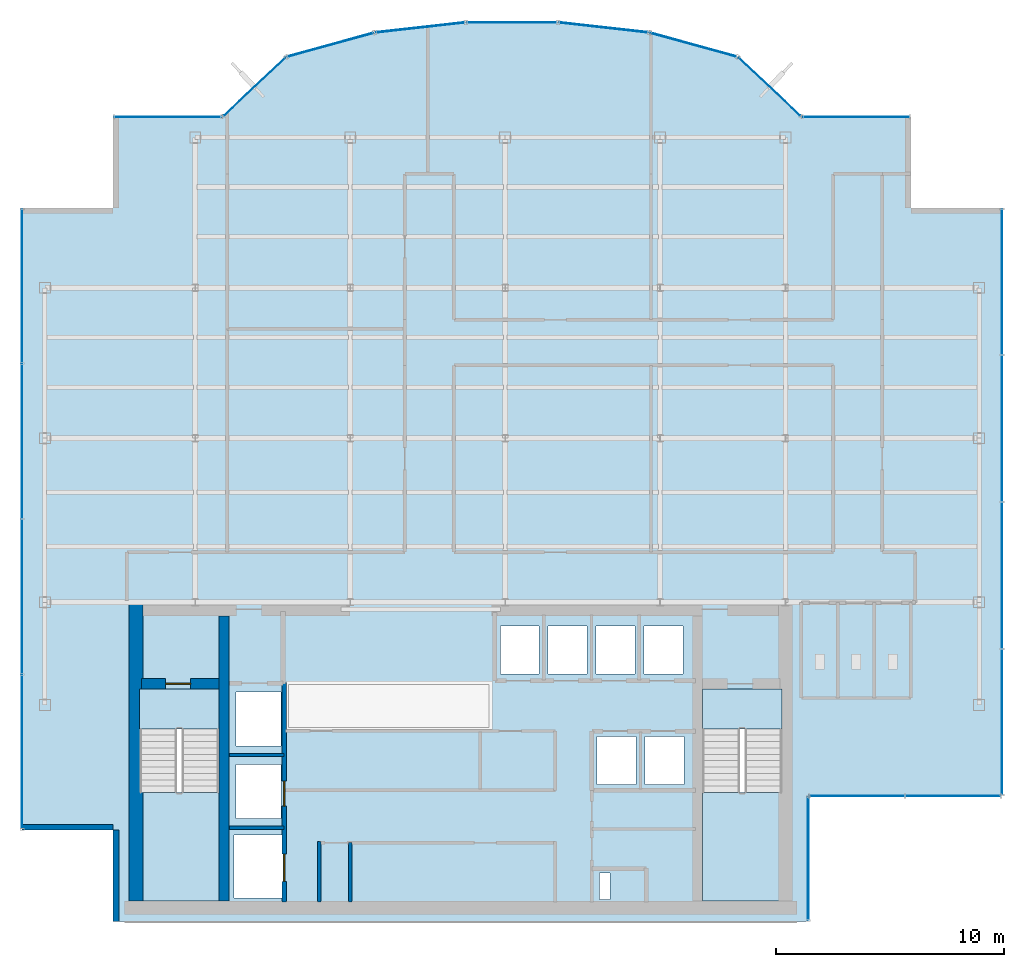
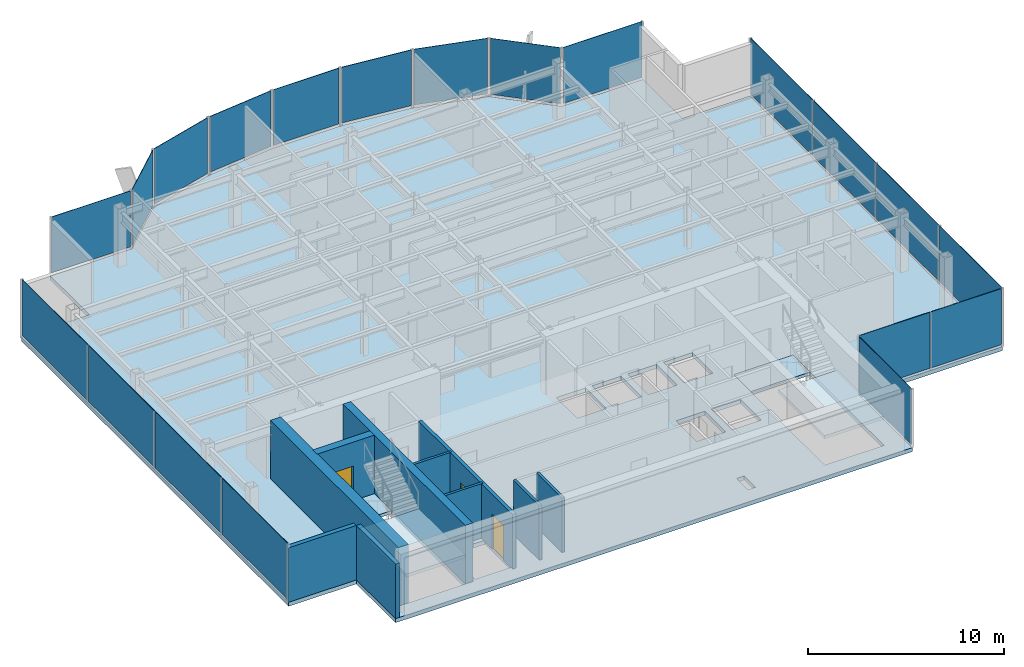
# One storey, part 16 of 22: 20 plates, 10 walls, 5 slabs, 3 doors, 3 openings, 15 elements without a shape of their own.
"""IFC4 building model written with IfcOpenShell, lengths in metres."""

from ifc_helpers import new_model, si_unit, derived_unit, direction, frame, frame_2d, origin, origin_2d, place, context, subcontext, project, spatial, polyline, rectangle, outline, extrude, source, transform, mapped, material, layer, layer_set, type_object, element, fill, aggregate, save


model = new_model("IFC4")

# Units and contexts
model_context = context("Model", 3, precision=1e-05, world=origin(), true_north=direction((0.0, 1.0)))
body_context = subcontext(model_context, "Body", "Model", "MODEL_VIEW")
ifc_project = project(units=[si_unit("LENGTHUNIT", "METRE"), si_unit("AREAUNIT", "SQUARE_METRE"), si_unit("VOLUMEUNIT", "CUBIC_METRE"), si_unit("PLANEANGLEUNIT", "RADIAN"), si_unit("MASSUNIT", "GRAM", prefix="KILO"), derived_unit("THERMALTRANSMITTANCEUNIT", [(si_unit("POWERUNIT", "WATT"), 1), (si_unit("LENGTHUNIT", "METRE"), -2), (si_unit("THERMODYNAMICTEMPERATUREUNIT", "KELVIN"), -1)])], contexts=[model_context])

# Site, building, storey
site_placement = place(None, origin())
site = spatial("IfcSite", under=ifc_project, at=site_placement, CompositionType="ELEMENT")
building_placement = place(site_placement, origin())
building = spatial("IfcBuilding", under=site, at=building_placement, Name="Skarnbrae Concourse Arena and Tower", CompositionType="ELEMENT")
storey_placement = place(building_placement, frame((0.0, 0.0, 258.800048828125)))
storey = spatial("IfcBuildingStorey", under=building, at=storey_placement, Name="L67", CompositionType="ELEMENT", Elevation=258.800048828125)

# Stair, slab
ifc_material_1 = material(Name="Concrete 40 MPa (C40/50)", Category="concrete")
stair_type = type_object("IfcStairType", Name="STAIR-DOGLEG-1650", PredefinedType="HALF_TURN_STAIR", material=ifc_material_1)
stair_1_placement = place(storey_placement, origin())
stair_1 = element("IfcStair", 1, at=stair_1_placement, inside=storey, type_object=stair_type, Name="L67 Protected Exit Stair ST-1", PredefinedType="HALF_TURN_STAIR")
ifc_layer_1 = layer(ifc_material_1, 0.199951171875)
ifc_layer_set_1 = layer_set([ifc_layer_1], Name="Concrete 40 MPa (C40/50)")
slab_type_1 = type_object("IfcSlabType", Name="SLAB-LANDING-200", PredefinedType="LANDING", material=ifc_layer_set_1)
slab_1_placement = place(storey_placement, frame((0.0, 0.0, 1.625)))
slab_1 = element("IfcSlab", 2, at=slab_1_placement, type_object=slab_type_1, Name="ST-1 landing 1", PredefinedType="LANDING", context=body_context, shape_type="SweptSolid", body=[
    extrude(outline(polyline([(5.14990234375, 5.64990234375), (5.14990234375, 0.89990234375), (8.64990234375, 0.89990234375), (8.64990234375, 5.64990234375), (5.14990234375, 5.64990234375)])), origin(), (0.0, 0.0, 1.0), 0.199951171875),
])
aggregate(stair_1, [slab_1])

stair_2_placement = place(storey_placement, origin())
stair_2 = element("IfcStair", 3, at=stair_2_placement, inside=storey, type_object=stair_type, Name="L67 Protected Exit Stair ST-2", PredefinedType="HALF_TURN_STAIR")
slab_2_placement = place(storey_placement, frame((0.0, 0.0, 1.625)))
slab_2 = element("IfcSlab", 4, at=slab_2_placement, type_object=slab_type_1, Name="ST-2 landing 1", PredefinedType="LANDING", context=body_context, shape_type="SweptSolid", body=[
    extrude(outline(polyline([(29.85009765625, 5.64990234375), (29.85009765625, 0.89990234375), (33.35009765625, 0.89990234375), (33.35009765625, 5.64990234375), (29.85009765625, 5.64990234375)])), origin(), (0.0, 0.0, 1.0), 0.199951171875),
])
aggregate(stair_2, [slab_2])

# Slabs
slab_3_placement = place(storey_placement, frame((0.0, 0.0, -0.199951171875)))
element("IfcSlab", 5, at=slab_3_placement, inside=storey, type_object=slab_type_1, Name="L67 Core stair ST1 floor landing", PredefinedType="LANDING", context=body_context, shape_type="SweptSolid", body=[
    extrude(outline(polyline([(5.14990234375, 10.199951171875), (5.14990234375, 8.449951171875), (8.64990234375, 8.449951171875), (8.64990234375, 10.199951171875), (5.14990234375, 10.199951171875)])), origin(), (0.0, 0.0, 1.0), 0.199951171875),
])
slab_4_placement = place(storey_placement, frame((0.0, 0.0, -0.199951171875)))
element("IfcSlab", 6, at=slab_4_placement, inside=storey, type_object=slab_type_1, Name="L67 Core stair ST2 floor landing", PredefinedType="LANDING", context=body_context, shape_type="SweptSolid", body=[
    extrude(outline(polyline([(29.85009765625, 10.199951171875), (29.85009765625, 8.449951171875), (33.35009765625, 8.449951171875), (33.35009765625, 10.199951171875), (29.85009765625, 10.199951171875)])), origin(), (0.0, 0.0, 1.0), 0.199951171875),
])
ifc_layer_2 = layer(ifc_material_1, 0.25)
ifc_layer_set_2 = layer_set([ifc_layer_2], Name="Concrete 40 MPa (C40/50)")
slab_type_2 = type_object("IfcSlabType", Name="SLAB-TOWER-250", PredefinedType="FLOOR", material=ifc_layer_set_2)
slab_5_placement = place(storey_placement, frame((0.0, 0.0, -0.25)))
element("IfcSlab", 7, at=slab_5_placement, inside=storey, type_object=slab_type_2, Name="L67 Structural floor slab", PredefinedType="FLOOR", context=body_context, shape_type="SweptSolid", body=[
    extrude(outline(polyline([(4.0, 0.0), (34.5, 0.0), (34.5, 5.5), (43.0, 5.5), (43.0, 31.300048828125), (39.0, 31.300048828125), (39.0, 35.300048828125), (34.199951171875, 35.300048828125), (31.40966796875, 37.9267578125), (27.52587890625, 38.9970703125), (23.51708984375, 39.44677734375), (19.48291015625, 39.44677734375), (15.47412109375, 38.9970703125), (11.59033203125, 37.9267578125), (8.800048828125, 35.300048828125), (4.0, 35.300048828125), (4.0, 31.300048828125), (0.0, 31.300048828125), (0.0, 4.0), (4.0, 4.0), (4.0, 0.0)]), holes=[polyline([(9.294921875, 1.02001953125), (9.294921875, 3.780029296875), (11.455078125, 3.780029296875), (11.455078125, 1.02001953125), (9.294921875, 1.02001953125)]), polyline([(8.64990234375, 10.199951171875), (8.64990234375, 0.89990234375), (5.14990234375, 0.89990234375), (5.14990234375, 10.199951171875), (8.64990234375, 10.199951171875)]), polyline([(9.39501953125, 6.8798828125), (11.35498046875, 6.8798828125), (11.35498046875, 4.52001953125), (9.39501953125, 4.52001953125), (9.39501953125, 6.8798828125)]), polyline([(9.39501953125, 7.695068359375), (9.39501953125, 10.054931640625), (11.35498046875, 10.054931640625), (11.35498046875, 7.695068359375), (9.39501953125, 7.695068359375)]), polyline([(20.985107421875, 12.955078125), (22.695068359375, 12.955078125), (22.695068359375, 10.844970703125), (20.985107421875, 10.844970703125), (20.985107421875, 12.955078125)]), polyline([(23.0849609375, 12.955078125), (24.794921875, 12.955078125), (24.794921875, 10.844970703125), (23.0849609375, 10.844970703125), (23.0849609375, 12.955078125)]), polyline([(25.35009765625, 0.949951171875), (25.35009765625, 2.110107421875), (25.800048828125, 2.110107421875), (25.800048828125, 0.949951171875), (25.35009765625, 0.949951171875)]), polyline([(33.35009765625, 10.199951171875), (33.35009765625, 0.89990234375), (29.85009765625, 0.89990234375), (29.85009765625, 10.199951171875), (33.35009765625, 10.199951171875)]), polyline([(25.235107421875, 8.10498046875), (26.945068359375, 8.10498046875), (26.945068359375, 5.9951171875), (25.235107421875, 5.9951171875), (25.235107421875, 8.10498046875)]), polyline([(27.3349609375, 5.9951171875), (27.3349609375, 8.10498046875), (29.044921875, 8.10498046875), (29.044921875, 5.9951171875), (27.3349609375, 5.9951171875)]), polyline([(25.18505859375, 12.955078125), (26.89501953125, 12.955078125), (26.89501953125, 10.844970703125), (25.18505859375, 10.844970703125), (25.18505859375, 12.955078125)]), polyline([(27.284912109375, 12.955078125), (28.9951171875, 12.955078125), (28.9951171875, 10.844970703125), (27.284912109375, 10.844970703125), (27.284912109375, 12.955078125)])]), origin(), (0.0, 0.0, 1.0), 0.25),
])

# Curtain wall, plate
ifc_material_2 = material(Name="Bronze anodised aluminium 6063-T6", Category="aluminium")
curtain_wall_type_1 = type_object("IfcCurtainWallType", Name="CW-SYS-05-HIGHZONE", PredefinedType="USERDEFINED", material=ifc_material_2)
curtain_wall_1_placement = place(storey_placement, origin())
curtain_wall_1 = element("IfcCurtainWall", 8, at=curtain_wall_1_placement, inside=storey, type_object=curtain_wall_type_1, Name="L67 Unitised curtain wall CW-L67-E02", ObjectType="UNITISED CURTAIN WALL", PredefinedType="USERDEFINED")
ifc_material_3 = material(Name="Low-E triple insulating glass", Category="glass")
ifc_layer_3 = layer(ifc_material_3, 0.030029296875)
ifc_layer_set_3 = layer_set([ifc_layer_3], Name="Low-E triple insulating glass")
plate_type_1 = type_object("IfcPlateType", Name="CWP-CW-05", PredefinedType="CURTAIN_PANEL", material=ifc_layer_set_3)
shared_shape_1 = source(origin(), body_context, "Body", "SweptSolid", [
    extrude(rectangle(XDim=5.35009765625, YDim=0.030029296875, at=origin_2d()), origin(), (0.0, 0.0, 1.0), 3.5),
])
plate_1_placement = place(storey_placement, frame((34.5, 2.75, 0.14990234375), z_axis=(0.0, 0.0, 1.0), x_axis=(0.0, 1.0, 0.0)))
plate_1 = element("IfcPlate", 9, at=plate_1_placement, type_object=plate_type_1, Name="CW-L67-E02 Low-E Glazing Panel 1", PredefinedType="CURTAIN_PANEL", context=body_context, shape_type="MappedRepresentation", body=[
    mapped(shared_shape_1, transform((0.0, 0.0, 0.0))),
])
aggregate(curtain_wall_1, [plate_1])

# Curtain wall, plates
curtain_wall_2_placement = place(storey_placement, origin())
curtain_wall_2 = element("IfcCurtainWall", 10, at=curtain_wall_2_placement, inside=storey, type_object=curtain_wall_type_1, Name="L67 Unitised curtain wall CW-L67-E03", ObjectType="UNITISED CURTAIN WALL", PredefinedType="USERDEFINED")
shared_shape_2 = source(origin(), body_context, "Body", "SweptSolid", [
    extrude(rectangle(XDim=4.137451171875, YDim=0.030029296875, at=origin_2d()), origin(), (0.0, 0.0, 1.0), 3.5),
])
plate_2_placement = place(storey_placement, frame((36.643798828125, 5.5, 0.14990234375), z_axis=(0.0, 0.0, 1.0), x_axis=(1.0, 0.0, 0.0)))
plate_2 = element("IfcPlate", 11, at=plate_2_placement, type_object=plate_type_1, Name="CW-L67-E03 Low-E Glazing Panel 1", PredefinedType="CURTAIN_PANEL", context=body_context, shape_type="MappedRepresentation", body=[
    mapped(shared_shape_2, transform((0.0, 0.0, 0.0))),
])
plate_3_placement = place(storey_placement, frame((40.856201171875, 5.5, 0.14990234375), z_axis=(0.0, 0.0, 1.0), x_axis=(1.0, 0.0, 0.0)))
plate_3 = element("IfcPlate", 12, at=plate_3_placement, type_object=plate_type_1, Name="CW-L67-E03 Low-E Glazing Panel 2", PredefinedType="CURTAIN_PANEL", context=body_context, shape_type="MappedRepresentation", body=[
    mapped(shared_shape_2, transform((0.0, 0.0, 0.0))),
])
aggregate(curtain_wall_2, [plate_2, plate_3])

# Curtain wall, plate
curtain_wall_3_placement = place(storey_placement, origin())
curtain_wall_3 = element("IfcCurtainWall", 13, at=curtain_wall_3_placement, inside=storey, type_object=curtain_wall_type_1, Name="L67 Unitised curtain wall CW-L67-E07", ObjectType="UNITISED CURTAIN WALL", PredefinedType="USERDEFINED")
shared_shape_3 = source(origin(), body_context, "Body", "SweptSolid", [
    extrude(rectangle(XDim=4.64990234375, YDim=0.030029296875, at=origin_2d()), origin(), (0.0, 0.0, 1.0), 3.5),
])
plate_4_placement = place(storey_placement, frame((36.60009765625, 35.300048828125, 0.14990234375), z_axis=(0.0, 0.0, 1.0), x_axis=(-1.0, 0.0, 0.0)))
plate_4 = element("IfcPlate", 14, at=plate_4_placement, type_object=plate_type_1, Name="CW-L67-E07 Low-E Glazing Panel 1", PredefinedType="CURTAIN_PANEL", context=body_context, shape_type="MappedRepresentation", body=[
    mapped(shared_shape_3, transform((0.0, 0.0, 0.0))),
])
aggregate(curtain_wall_3, [plate_4])

curtain_wall_4_placement = place(storey_placement, origin())
curtain_wall_4 = element("IfcCurtainWall", 15, at=curtain_wall_4_placement, inside=storey, type_object=curtain_wall_type_1, Name="L67 Unitised curtain wall CW-L67-E15", ObjectType="UNITISED CURTAIN WALL", PredefinedType="USERDEFINED")
plate_5_placement = place(storey_placement, frame((6.39990234375, 35.300048828125, 0.14990234375), z_axis=(0.0, 0.0, 1.0), x_axis=(-1.0, 0.0, 0.0)))
plate_5 = element("IfcPlate", 16, at=plate_5_placement, type_object=plate_type_1, Name="CW-L67-E15 Low-E Glazing Panel 1", PredefinedType="CURTAIN_PANEL", context=body_context, shape_type="MappedRepresentation", body=[
    mapped(shared_shape_3, transform((0.0, 0.0, 0.0))),
])
aggregate(curtain_wall_4, [plate_5])

curtain_wall_5_placement = place(storey_placement, origin())
curtain_wall_5 = element("IfcCurtainWall", 17, at=curtain_wall_5_placement, inside=storey, type_object=curtain_wall_type_1, Name="L67 Unitised curtain wall CW-L67-E08", ObjectType="UNITISED CURTAIN WALL", PredefinedType="USERDEFINED")
shared_shape_4 = source(origin(), body_context, "Body", "SweptSolid", [
    extrude(rectangle(XDim=3.68212890625, YDim=0.030029296875, at=origin_2d()), origin(), (0.0, 0.0, 1.0), 3.5),
])
plate_6_placement = place(storey_placement, frame((32.804931640625, 36.61328125, 0.14990234375), z_axis=(0.0, 0.0, 1.0), x_axis=(-0.728130555214, 0.685438468838, 0.0)))
plate_6 = element("IfcPlate", 18, at=plate_6_placement, type_object=plate_type_1, Name="CW-L67-E08 Low-E Glazing Panel 1", PredefinedType="CURTAIN_PANEL", context=body_context, shape_type="MappedRepresentation", body=[
    mapped(shared_shape_4, transform((0.0, 0.0, 0.0))),
])
aggregate(curtain_wall_5, [plate_6])

curtain_wall_6_placement = place(storey_placement, origin())
curtain_wall_6 = element("IfcCurtainWall", 19, at=curtain_wall_6_placement, inside=storey, type_object=curtain_wall_type_1, Name="L67 Unitised curtain wall CW-L67-E14", ObjectType="UNITISED CURTAIN WALL", PredefinedType="USERDEFINED")
plate_7_placement = place(storey_placement, frame((10.195068359375, 36.61328125, 0.14990234375), z_axis=(0.0, 0.0, 1.0), x_axis=(-0.728130555214, -0.685438468838, 0.0)))
plate_7 = element("IfcPlate", 20, at=plate_7_placement, type_object=plate_type_1, Name="CW-L67-E14 Low-E Glazing Panel 1", PredefinedType="CURTAIN_PANEL", context=body_context, shape_type="MappedRepresentation", body=[
    mapped(shared_shape_4, transform((0.0, 0.0, 0.0))),
])
aggregate(curtain_wall_6, [plate_7])

# Curtain wall, plates
curtain_wall_7_placement = place(storey_placement, origin())
curtain_wall_7 = element("IfcCurtainWall", 21, at=curtain_wall_7_placement, inside=storey, type_object=curtain_wall_type_1, Name="L67 Unitised curtain wall CW-L67-E18", ObjectType="UNITISED CURTAIN WALL", PredefinedType="USERDEFINED")
shared_shape_5 = source(origin(), body_context, "Body", "SweptSolid", [
    extrude(rectangle(XDim=6.71240234375, YDim=0.030029296875, at=origin_2d()), origin(), (0.0, 0.0, 1.0), 3.5),
])
plate_8_placement = place(storey_placement, frame((0.0, 27.86865234375, 0.14990234375), z_axis=(0.0, 0.0, 1.0), x_axis=(0.0, -1.0, 0.0)))
plate_8 = element("IfcPlate", 22, at=plate_8_placement, type_object=plate_type_1, Name="CW-L67-E18 Low-E Glazing Panel 1", PredefinedType="CURTAIN_PANEL", context=body_context, shape_type="MappedRepresentation", body=[
    mapped(shared_shape_5, transform((0.0, 0.0, 0.0))),
])
plate_9_placement = place(storey_placement, frame((0.0, 7.431396484375, 0.14990234375), z_axis=(0.0, 0.0, 1.0), x_axis=(0.0, -1.0, 0.0)))
plate_9 = element("IfcPlate", 23, at=plate_9_placement, type_object=plate_type_1, Name="CW-L67-E18 Low-E Glazing Panel 4", PredefinedType="CURTAIN_PANEL", context=body_context, shape_type="MappedRepresentation", body=[
    mapped(shared_shape_5, transform((0.0, 0.0, 0.0))),
])
shared_shape_6 = source(origin(), body_context, "Body", "SweptSolid", [
    extrude(rectangle(XDim=6.75, YDim=0.030029296875, at=origin_2d()), origin(), (0.0, 0.0, 1.0), 3.5),
])
plate_10_placement = place(storey_placement, frame((0.0, 21.0625, 0.14990234375), z_axis=(0.0, 0.0, 1.0), x_axis=(0.0, -1.0, 0.0)))
plate_10 = element("IfcPlate", 24, at=plate_10_placement, type_object=plate_type_1, Name="CW-L67-E18 Low-E Glazing Panel 2", PredefinedType="CURTAIN_PANEL", context=body_context, shape_type="MappedRepresentation", body=[
    mapped(shared_shape_6, transform((0.0, 0.0, 0.0))),
])
plate_11_placement = place(storey_placement, frame((0.0, 14.237548828125, 0.14990234375), z_axis=(0.0, 0.0, 1.0), x_axis=(0.0, -1.0, 0.0)))
plate_11 = element("IfcPlate", 25, at=plate_11_placement, type_object=plate_type_1, Name="CW-L67-E18 Low-E Glazing Panel 3", PredefinedType="CURTAIN_PANEL", context=body_context, shape_type="MappedRepresentation", body=[
    mapped(shared_shape_6, transform((0.0, 0.0, 0.0))),
])
aggregate(curtain_wall_7, [plate_8, plate_10, plate_11, plate_9])

curtain_wall_8_placement = place(storey_placement, origin())
curtain_wall_8 = element("IfcCurtainWall", 26, at=curtain_wall_8_placement, inside=storey, type_object=curtain_wall_type_1, Name="L67 Unitised curtain wall CW-L67-E04", ObjectType="UNITISED CURTAIN WALL", PredefinedType="USERDEFINED")
shared_shape_7 = source(origin(), body_context, "Body", "SweptSolid", [
    extrude(rectangle(XDim=6.33740234375, YDim=0.030029296875, at=origin_2d()), origin(), (0.0, 0.0, 1.0), 3.5),
])
plate_12_placement = place(storey_placement, frame((43.0, 8.743896484375, 0.14990234375), z_axis=(0.0, 0.0, 1.0), x_axis=(0.0, 1.0, 0.0)))
plate_12 = element("IfcPlate", 27, at=plate_12_placement, type_object=plate_type_1, Name="CW-L67-E04 Low-E Glazing Panel 1", PredefinedType="CURTAIN_PANEL", context=body_context, shape_type="MappedRepresentation", body=[
    mapped(shared_shape_7, transform((0.0, 0.0, 0.0))),
])
plate_13_placement = place(storey_placement, frame((43.0, 28.05615234375, 0.14990234375), z_axis=(0.0, 0.0, 1.0), x_axis=(0.0, 1.0, 0.0)))
plate_13 = element("IfcPlate", 28, at=plate_13_placement, type_object=plate_type_1, Name="CW-L67-E04 Low-E Glazing Panel 4", PredefinedType="CURTAIN_PANEL", context=body_context, shape_type="MappedRepresentation", body=[
    mapped(shared_shape_7, transform((0.0, 0.0, 0.0))),
])
shared_shape_8 = source(origin(), body_context, "Body", "SweptSolid", [
    extrude(rectangle(XDim=6.375, YDim=0.030029296875, at=origin_2d()), origin(), (0.0, 0.0, 1.0), 3.5),
])
plate_14_placement = place(storey_placement, frame((43.0, 15.175048828125, 0.14990234375), z_axis=(0.0, 0.0, 1.0), x_axis=(0.0, 1.0, 0.0)))
plate_14 = element("IfcPlate", 29, at=plate_14_placement, type_object=plate_type_1, Name="CW-L67-E04 Low-E Glazing Panel 2", PredefinedType="CURTAIN_PANEL", context=body_context, shape_type="MappedRepresentation", body=[
    mapped(shared_shape_8, transform((0.0, 0.0, 0.0))),
])
plate_15_placement = place(storey_placement, frame((43.0, 21.625, 0.14990234375), z_axis=(0.0, 0.0, 1.0), x_axis=(0.0, 1.0, 0.0)))
plate_15 = element("IfcPlate", 30, at=plate_15_placement, type_object=plate_type_1, Name="CW-L67-E04 Low-E Glazing Panel 3", PredefinedType="CURTAIN_PANEL", context=body_context, shape_type="MappedRepresentation", body=[
    mapped(shared_shape_8, transform((0.0, 0.0, 0.0))),
])
aggregate(curtain_wall_8, [plate_12, plate_14, plate_15, plate_13])

# Curtain wall, plate
curtain_wall_type_2 = type_object("IfcCurtainWallType", Name="CW-SYS-03-PORTAL", PredefinedType="USERDEFINED", material=ifc_material_2)
curtain_wall_9_placement = place(storey_placement, origin())
curtain_wall_9 = element("IfcCurtainWall", 31, at=curtain_wall_9_placement, inside=storey, type_object=curtain_wall_type_2, Name="L67 Unitised curtain wall CW-L67-E09", ObjectType="UNITISED CURTAIN WALL", PredefinedType="USERDEFINED")
ifc_layer_4 = layer(ifc_material_3, 0.033935546875)
ifc_layer_set_4 = layer_set([ifc_layer_4], Name="Low-E triple insulating glass")
plate_type_2 = type_object("IfcPlateType", Name="CWP-CW-03", PredefinedType="CURTAIN_PANEL", material=ifc_layer_set_4)
shared_shape_9 = source(origin(), body_context, "Body", "SweptSolid", [
    extrude(rectangle(XDim=3.86865234375, YDim=0.033935546875, at=origin_2d()), origin(), (0.0, 0.0, 1.0), 3.47998046875),
])
plate_16_placement = place(storey_placement, frame((29.4677734375, 38.4619140625, 0.169921875), z_axis=(0.0, 0.0, 1.0), x_axis=(-0.964057388766, 0.265694093207, 0.0)))
plate_16 = element("IfcPlate", 32, at=plate_16_placement, type_object=plate_type_2, Name="CW-L67-E09 Low-E Glazing Panel 1", PredefinedType="CURTAIN_PANEL", context=body_context, shape_type="MappedRepresentation", body=[
    mapped(shared_shape_9, transform((0.0, 0.0, 0.0))),
])
aggregate(curtain_wall_9, [plate_16])

curtain_wall_10_placement = place(storey_placement, origin())
curtain_wall_10 = element("IfcCurtainWall", 33, at=curtain_wall_10_placement, inside=storey, type_object=curtain_wall_type_2, Name="L67 Unitised curtain wall CW-L67-E13", ObjectType="UNITISED CURTAIN WALL", PredefinedType="USERDEFINED")
plate_17_placement = place(storey_placement, frame((13.5322265625, 38.4619140625, 0.169921875), z_axis=(0.0, 0.0, 1.0), x_axis=(-0.964057388766, -0.265694093207, 0.0)))
plate_17 = element("IfcPlate", 34, at=plate_17_placement, type_object=plate_type_2, Name="CW-L67-E13 Low-E Glazing Panel 1", PredefinedType="CURTAIN_PANEL", context=body_context, shape_type="MappedRepresentation", body=[
    mapped(shared_shape_9, transform((0.0, 0.0, 0.0))),
])
aggregate(curtain_wall_10, [plate_17])

curtain_wall_11_placement = place(storey_placement, origin())
curtain_wall_11 = element("IfcCurtainWall", 35, at=curtain_wall_11_placement, inside=storey, type_object=curtain_wall_type_2, Name="L67 Unitised curtain wall CW-L67-E10", ObjectType="UNITISED CURTAIN WALL", PredefinedType="USERDEFINED")
shared_shape_10 = source(origin(), body_context, "Body", "SweptSolid", [
    extrude(rectangle(XDim=3.873779296875, YDim=0.033935546875, at=origin_2d()), origin(), (0.0, 0.0, 1.0), 3.47998046875),
])
plate_18_placement = place(storey_placement, frame((25.521484375, 39.221923828125, 0.169921875), z_axis=(0.0, 0.0, 1.0), x_axis=(-0.993768891873, 0.111460259941, 0.0)))
plate_18 = element("IfcPlate", 36, at=plate_18_placement, type_object=plate_type_2, Name="CW-L67-E10 Low-E Glazing Panel 1", PredefinedType="CURTAIN_PANEL", context=body_context, shape_type="MappedRepresentation", body=[
    mapped(shared_shape_10, transform((0.0, 0.0, 0.0))),
])
aggregate(curtain_wall_11, [plate_18])

curtain_wall_12_placement = place(storey_placement, origin())
curtain_wall_12 = element("IfcCurtainWall", 37, at=curtain_wall_12_placement, inside=storey, type_object=curtain_wall_type_2, Name="L67 Unitised curtain wall CW-L67-E12", ObjectType="UNITISED CURTAIN WALL", PredefinedType="USERDEFINED")
plate_19_placement = place(storey_placement, frame((17.478515625, 39.221923828125, 0.169921875), z_axis=(0.0, 0.0, 1.0), x_axis=(-0.993768891873, -0.111460259941, 0.0)))
plate_19 = element("IfcPlate", 38, at=plate_19_placement, type_object=plate_type_2, Name="CW-L67-E12 Low-E Glazing Panel 1", PredefinedType="CURTAIN_PANEL", context=body_context, shape_type="MappedRepresentation", body=[
    mapped(shared_shape_10, transform((0.0, 0.0, 0.0))),
])
aggregate(curtain_wall_12, [plate_19])

curtain_wall_13_placement = place(storey_placement, origin())
curtain_wall_13 = element("IfcCurtainWall", 39, at=curtain_wall_13_placement, inside=storey, type_object=curtain_wall_type_2, Name="L67 Unitised curtain wall CW-L67-E11", ObjectType="UNITISED CURTAIN WALL", PredefinedType="USERDEFINED")
shared_shape_11 = source(origin(), body_context, "Body", "SweptSolid", [
    extrude(rectangle(XDim=3.87451171875, YDim=0.033935546875, at=origin_2d()), origin(), (0.0, 0.0, 1.0), 3.47998046875),
])
plate_20_placement = place(storey_placement, frame((21.5, 39.44677734375, 0.169921875), z_axis=(0.0, 0.0, 1.0), x_axis=(-1.0, 0.0, 0.0)))
plate_20 = element("IfcPlate", 40, at=plate_20_placement, type_object=plate_type_2, Name="CW-L67-E11 Low-E Glazing Panel 1", PredefinedType="CURTAIN_PANEL", context=body_context, shape_type="MappedRepresentation", body=[
    mapped(shared_shape_11, transform((0.0, 0.0, 0.0))),
])
aggregate(curtain_wall_13, [plate_20])

# Wall, opening, door
ifc_material_4 = material(Name="Concrete 50 MPa (C50/60)", Category="concrete")
ifc_layer_5 = layer(ifc_material_4, 0.449951171875)
ifc_layer_set_5 = layer_set([ifc_layer_5], Name="Concrete 50 MPa (C50/60)")
wall_type_1 = type_object("IfcWallType", Name="WALL-CORE-450-C50", PredefinedType="SHEAR", material=ifc_layer_set_5)
shared_shape_12 = source(origin(), body_context, "Body", "SweptSolid", [
    extrude(rectangle(XDim=3.389892578125, YDim=0.449951171875, at=frame_2d((1.69482421875, 0.0))), origin(), (0.0, 0.0, 1.0), 3.64990234375),
])
wall_1_placement = place(storey_placement, frame((5.25, 10.419921875, 0.0), z_axis=(0.0, 0.0, 1.0), x_axis=(1.0, 0.0, 0.0)))
wall_1 = element("IfcWall", 41, at=wall_1_placement, inside=storey, type_object=wall_type_1, Name="L67 Rear core shear wall CW-ST1-N", PredefinedType="SHEAR", context=body_context, shape_type="MappedRepresentation", body=[
    mapped(shared_shape_12, transform((0.0, 0.0, 0.0))),
])
opening_1_placement = place(wall_1_placement, frame((1.050048828125, 0.0, 0.0)))
opening_1 = element("IfcOpeningElement", 42, at=opening_1_placement, cuts=wall_1, Name="Opening DT-03", PredefinedType="OPENING", context=body_context, shape_type="SweptSolid", body=[
    extrude(rectangle(XDim=1.10009765625, YDim=2.14990234375, at=frame_2d((0.550048828125, 1.074951171875))), frame((0.0, 0.23486328125, 0.0), z_axis=(0.0, -1.0, 0.0), x_axis=(1.0, 0.0, 0.0)), (0.0, 0.0, 1.0), 0.469970703125),
])
ifc_material_5 = material(Name="Steel CSA G40.21 350W", Category="steel")
door_type_1 = type_object("IfcDoorType", Name="DOOR-FIRE-1100-90M", OperationType="NOTDEFINED", PredefinedType="DOOR", material=ifc_material_5)
shared_shape_13 = source(origin(), body_context, "Body", "SweptSolid", [
    extrude(rectangle(XDim=1.10009765625, YDim=2.14990234375, at=frame_2d((0.550048828125, 1.074951171875))), frame((0.0, 0.02490234375, 0.0), z_axis=(0.0, -1.0, 0.0), x_axis=(1.0, 0.0, 0.0)), (0.0, 0.0, 1.0), 0.050048828125),
])
door_1_placement = place(opening_1_placement, frame((1.10009765625, 0.0, 0.0), z_axis=(0.0, 0.0, 1.0), x_axis=(-1.0, 0.0, 0.0)))
door_1 = element("IfcDoor", 43, at=door_1_placement, inside=storey, type_object=door_type_1, Name="D-2018 Stair ST-1 Door", OperationType="SINGLE_SWING_LEFT", OverallHeight=2.14990234375, OverallWidth=1.10009765625, PredefinedType="DOOR", context=body_context, shape_type="MappedRepresentation", body=[
    mapped(shared_shape_13, transform((0.0, 0.0, 0.0))),
])
fill(opening_1, door_1)

# Walls
ifc_layer_6 = layer(ifc_material_4, 0.60009765625)
ifc_layer_set_6 = layer_set([ifc_layer_6], Name="Concrete 50 MPa (C50/60)")
wall_type_2 = type_object("IfcWallType", Name="WALL-CORE-600-C50", PredefinedType="SHEAR", material=ifc_layer_set_6)
shared_shape_14 = source(origin(), body_context, "Body", "SweptSolid", [
    extrude(rectangle(XDim=13.10009765625, YDim=0.60009765625, at=frame_2d((6.550048828125, 0.0))), origin(), (0.0, 0.0, 1.0), 3.64990234375),
])
wall_2_placement = place(storey_placement, frame((5.0, 0.89990234375, 0.0), z_axis=(0.0, 0.0, 1.0), x_axis=(0.0, 1.0, 0.0)))
element("IfcWall", 44, at=wall_2_placement, inside=storey, type_object=wall_type_2, Name="L67 Rear core shear wall CW-W", PredefinedType="SHEAR", context=body_context, shape_type="MappedRepresentation", body=[
    mapped(shared_shape_14, transform((0.0, 0.0, 0.0))),
])
shared_shape_15 = source(origin(), body_context, "Body", "SweptSolid", [
    extrude(rectangle(XDim=12.5, YDim=0.449951171875, at=frame_2d((6.25, 0.0))), origin(), (0.0, 0.0, 1.0), 3.64990234375),
])
wall_3_placement = place(storey_placement, frame((8.864990234375, 0.89990234375, 0.0), z_axis=(0.0, 0.0, 1.0), x_axis=(0.0, 1.0, 0.0)))
element("IfcWall", 45, at=wall_3_placement, inside=storey, type_object=wall_type_1, Name="L67 Rear core shear wall CW-WEB-W", PredefinedType="SHEAR", context=body_context, shape_type="MappedRepresentation", body=[
    mapped(shared_shape_15, transform((0.0, 0.0, 0.0))),
])
ifc_material_6 = material(Name="Precast concrete 40 MPa (C40/50)", Category="concrete")
ifc_layer_7 = layer(ifc_material_6, 0.25)
ifc_layer_set_7 = layer_set([ifc_layer_7], Name="Precast concrete 40 MPa (C40/50)")
wall_type_3 = type_object("IfcWallType", Name="WALL-EXT-SPANDREL-250", PredefinedType="STANDARD", material=ifc_layer_set_7)
shared_shape_16 = source(origin(), body_context, "Body", "SweptSolid", [
    extrude(rectangle(XDim=4.0, YDim=0.25, at=frame_2d((2.0, 0.0))), origin(), (0.0, 0.0, 1.0), 3.39990234375),
])
for number, where, z_axis, x_axis, name in (
    (46, (0.0, 4.125, 0.0), (0.0, 0.0, 1.0), (1.0, 0.0, 0.0), "L67 Notched corner insulated return wall 19"),
    (47, (4.125, 4.0, 0.0), (0.0, 0.0, 1.0), (0.0, -1.0, 0.0), "L67 Notched corner insulated return wall 20"),
):
    element("IfcWall", number, at=place(storey_placement, frame(where, z_axis=z_axis, x_axis=x_axis)), inside=storey, type_object=wall_type_3, Name=name, PredefinedType="STANDARD", context=body_context, shape_type="MappedRepresentation", body=[
        mapped(shared_shape_16, transform((0.0, 0.0, 0.0))),
    ])

# Wall, openings, doors
ifc_material_7 = material(Name="Gypsum board on cold-formed steel studs", Category="steel")
ifc_layer_8 = layer(ifc_material_7, 0.199951171875)
ifc_layer_set_8 = layer_set([ifc_layer_8], Name="Gypsum board on cold-formed steel studs")
wall_type_4 = type_object("IfcWallType", Name="WALL-PART-200-2HR", PredefinedType="PARTITIONING", material=ifc_layer_set_8)
shared_shape_17 = source(origin(), body_context, "Body", "SweptSolid", [
    extrude(rectangle(XDim=9.599853515625, YDim=0.199951171875, at=frame_2d((4.7998046875, 0.0))), origin(), (0.0, 0.0, 1.0), 3.39990234375),
])
wall_4_placement = place(storey_placement, frame((11.5, 0.85009765625, 0.0), z_axis=(0.0, 0.0, 1.0), x_axis=(0.0, 1.0, 0.0)))
wall_4 = element("IfcWall", 48, at=wall_4_placement, inside=storey, type_object=wall_type_4, Name="L67 Interior partition wall W-L67-FL-E", PredefinedType="PARTITIONING", context=body_context, shape_type="MappedRepresentation", body=[
    mapped(shared_shape_17, transform((0.0, 0.0, 0.0))),
])
opening_2_placement = place(wall_4_placement, frame((4.199951171875, 0.0, 0.0)))
opening_2 = element("IfcOpeningElement", 49, at=opening_2_placement, cuts=wall_4, Name="Opening LD-01", PredefinedType="OPENING", context=body_context, shape_type="SweptSolid", body=[
    extrude(rectangle(XDim=1.10009765625, YDim=2.14990234375, at=frame_2d((0.550048828125, 1.074951171875))), frame((0.0, 0.10986328125, 0.0), z_axis=(0.0, -1.0, 0.0), x_axis=(1.0, 0.0, 0.0)), (0.0, 0.0, 1.0), 0.219970703125),
])
opening_3_placement = place(wall_4_placement, frame((0.89990234375, 0.0, 0.0)))
opening_3 = element("IfcOpeningElement", 50, at=opening_3_placement, cuts=wall_4, Name="Opening LD-02", PredefinedType="OPENING", context=body_context, shape_type="SweptSolid", body=[
    extrude(rectangle(XDim=1.199951171875, YDim=2.14990234375, at=frame_2d((0.60009765625, 1.074951171875))), frame((0.0, 0.10986328125, 0.0), z_axis=(0.0, -1.0, 0.0), x_axis=(1.0, 0.0, 0.0)), (0.0, 0.0, 1.0), 0.219970703125),
])
door_type_2 = type_object("IfcDoorType", Name="DOOR-LIFT-SLIDE-1100", OperationType="SLIDING_TO_LEFT", PredefinedType="DOOR", material=ifc_material_5)
door_2_placement = place(opening_2_placement, frame((1.10009765625, 0.0, 0.0), z_axis=(0.0, 0.0, 1.0), x_axis=(-1.0, 0.0, 0.0)))
door_2 = element("IfcDoor", 51, at=door_2_placement, inside=storey, type_object=door_type_2, Name="D-2023 Firefighting Lift Landing Door FL-02", OperationType="SLIDING_TO_LEFT", OverallHeight=2.14990234375, OverallWidth=1.10009765625, PredefinedType="DOOR", context=body_context, shape_type="MappedRepresentation", body=[
    mapped(shared_shape_13, transform((0.0, 0.0, 0.0))),
])
fill(opening_2, door_2)
door_type_3 = type_object("IfcDoorType", Name="DOOR-LIFT-SLIDE-1200", OperationType="SLIDING_TO_LEFT", PredefinedType="DOOR", material=ifc_material_5)
shared_shape_18 = source(origin(), body_context, "Body", "SweptSolid", [
    extrude(rectangle(XDim=1.199951171875, YDim=2.14990234375, at=frame_2d((0.60009765625, 1.074951171875))), frame((0.0, 0.02490234375, 0.0), z_axis=(0.0, -1.0, 0.0), x_axis=(1.0, 0.0, 0.0)), (0.0, 0.0, 1.0), 0.050048828125),
])
door_3_placement = place(opening_3_placement, frame((1.199951171875, 0.0, 0.0), z_axis=(0.0, 0.0, 1.0), x_axis=(-1.0, 0.0, 0.0)))
door_3 = element("IfcDoor", 52, at=door_3_placement, inside=storey, type_object=door_type_3, Name="D-2024 Service Lift Landing Door SV-01", OperationType="SLIDING_TO_LEFT", OverallHeight=2.14990234375, OverallWidth=1.199951171875, PredefinedType="DOOR", context=body_context, shape_type="MappedRepresentation", body=[
    mapped(shared_shape_18, transform((0.0, 0.0, 0.0))),
])
fill(opening_3, door_3)

# Walls
ifc_layer_9 = layer(ifc_material_7, 0.14990234375)
ifc_layer_set_9 = layer_set([ifc_layer_9], Name="Gypsum board on cold-formed steel studs")
wall_type_5 = type_object("IfcWallType", Name="WALL-PART-150", PredefinedType="PARTITIONING", material=ifc_layer_set_9)
shared_shape_19 = source(origin(), body_context, "Body", "SweptSolid", [
    extrude(rectangle(XDim=2.39990234375, YDim=0.14990234375, at=frame_2d((1.199951171875, 0.0))), origin(), (0.0, 0.0, 1.0), 3.39990234375),
])
for number, where, z_axis, x_axis, name in (
    (53, (9.10009765625, 4.10009765625, 0.0), (0.0, 0.0, 1.0), (1.0, 0.0, 0.0), "L67 Interior partition wall W-L67-FL-D1"),
    (54, (9.10009765625, 7.300048828125, 0.0), (0.0, 0.0, 1.0), (1.0, 0.0, 0.0), "L67 Interior partition wall W-L67-FL-D2"),
):
    element("IfcWall", number, at=place(storey_placement, frame(where, z_axis=z_axis, x_axis=x_axis)), inside=storey, type_object=wall_type_5, Name=name, PredefinedType="PARTITIONING", context=body_context, shape_type="MappedRepresentation", body=[
        mapped(shared_shape_19, transform((0.0, 0.0, 0.0))),
    ])
shared_shape_20 = source(origin(), body_context, "Body", "SweptSolid", [
    extrude(rectangle(XDim=2.599853515625, YDim=0.14990234375, at=frame_2d((1.2998046875, 0.0))), origin(), (0.0, 0.0, 1.0), 3.39990234375),
])
wall_5_placement = place(storey_placement, frame((14.39990234375, 0.85009765625, 0.0), z_axis=(0.0, 0.0, 1.0), x_axis=(0.0, 1.0, 0.0)))
element("IfcWall", 55, at=wall_5_placement, inside=storey, type_object=wall_type_5, Name="L67 Interior partition wall W-L67-B1M-C1", PredefinedType="PARTITIONING", context=body_context, shape_type="MappedRepresentation", body=[
    mapped(shared_shape_20, transform((0.0, 0.0, 0.0))),
])
ifc_layer_10 = layer(ifc_material_7, 0.14990234375)
ifc_layer_set_10 = layer_set([ifc_layer_10], Name="Gypsum board on cold-formed steel studs")
wall_type_6 = type_object("IfcWallType", Name="WALL-PART-150-1HR", PredefinedType="PARTITIONING", material=ifc_layer_set_10)
shared_shape_21 = source(origin(), body_context, "Body", "SweptSolid", [
    extrude(rectangle(XDim=2.64990234375, YDim=0.14990234375, at=frame_2d((1.324951171875, 0.0))), origin(), (0.0, 0.0, 1.0), 3.39990234375),
])
wall_6_placement = place(storey_placement, frame((13.050048828125, 0.85009765625, 0.0), z_axis=(0.0, 0.0, 1.0), x_axis=(0.0, 1.0, 0.0)))
element("IfcWall", 56, at=wall_6_placement, inside=storey, type_object=wall_type_6, Name="L67 Interior partition wall W-L67-B1M-W", PredefinedType="PARTITIONING", context=body_context, shape_type="MappedRepresentation", body=[
    mapped(shared_shape_21, transform((0.0, 0.0, 0.0))),
])

save(model, "model.ifc")
